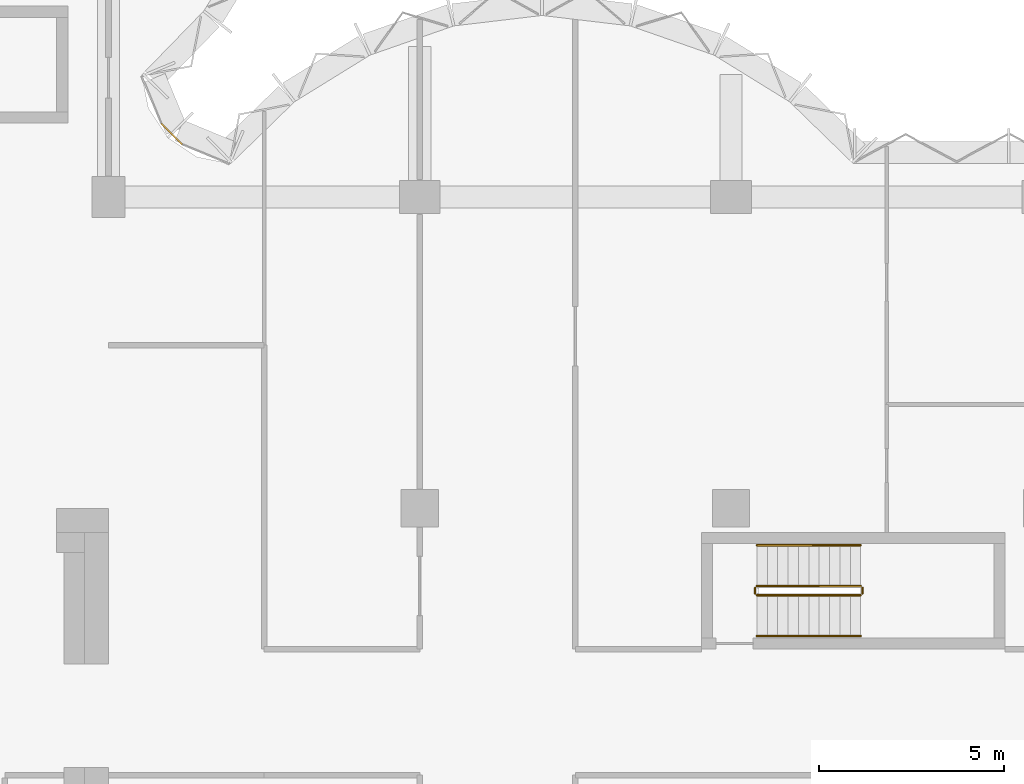
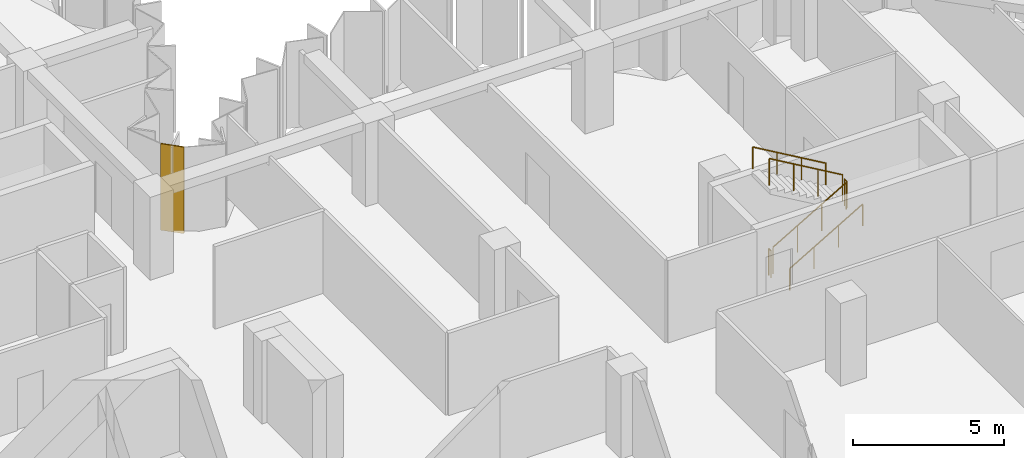
# One storey, part 10 of 10: 6 railings, 1 covering, 1 element without a shape of its own.
"""IFC4 building model written with IfcOpenShell, lengths in metres."""

from ifc_helpers import new_model, si_unit, direction, frame, origin, origin_2d, place, context, subcontext, project, spatial, polyline, circle, outline, extrude, material, layer, layer_set, type_object, element, aggregate, save


model = new_model("IFC4")

# Units and contexts
model_context = context("Model", 3, precision=1e-05, world=origin(), true_north=direction((0.0, 1.0)))
body_context = subcontext(model_context, "Body", "Model", "MODEL_VIEW")
ifc_project = project(units=[si_unit("LENGTHUNIT", "METRE"), si_unit("AREAUNIT", "SQUARE_METRE"), si_unit("VOLUMEUNIT", "CUBIC_METRE"), si_unit("PLANEANGLEUNIT", "RADIAN"), si_unit("MASSUNIT", "GRAM", prefix="KILO")], contexts=[model_context])

# Site, building, storey
site_placement = place(None, origin())
site = spatial("IfcSite", under=ifc_project, at=site_placement, CompositionType="ELEMENT")
building_placement = place(site_placement, origin())
building = spatial("IfcBuilding", under=site, at=building_placement, Name="Brevane Broadcast Tower", CompositionType="ELEMENT")
storey_placement = place(building_placement, frame((0.0, 0.0, 181.199951171875)))
storey = spatial("IfcBuildingStorey", under=building, at=storey_placement, Name="L45", CompositionType="ELEMENT", Elevation=181.199951171875)

# Railings
ifc_material_1 = material(Name="Steel S355", Category="steel")
railing_type_1 = type_object("IfcRailingType", Name="Exit stair guard", PredefinedType="GUARDRAIL", material=ifc_material_1)
railing_1_placement = place(storey_placement, frame((42.699951171875, 14.449951171875, 0.16357421875)))
element("IfcRailing", 1, at=railing_1_placement, inside=storey, type_object=railing_type_1, Name="L45 ST-4 stair guard 1", PredefinedType="GUARDRAIL", context=body_context, shape_type="SweptSolid", body=[
    extrude(circle(Radius=0.02392578125, at=origin_2d()), frame((0.0, 0.0, 1.076171875), z_axis=(0.863360870873, 0.0, 0.504586966384), x_axis=(0.0, 1.0, 0.0)), (0.0, 0.0, 1.0), 3.2431640625),
    extrude(circle(Radius=0.02099609375, at=origin_2d()), origin(), (0.0, 0.0, 1.0), 1.052001953125),
    extrude(circle(Radius=0.02099609375, at=origin_2d()), frame((0.933349609375, 0.0, 0.54541015625)), (0.0, 0.0, 1.0), 1.052001953125),
    extrude(circle(Radius=0.02099609375, at=origin_2d()), frame((1.86669921875, 0.0, 1.091064453125)), (0.0, 0.0, 1.0), 1.052001953125),
    extrude(circle(Radius=0.02099609375, at=origin_2d()), frame((2.800048828125, 0.0, 1.636474609375)), (0.0, 0.0, 1.0), 1.052001953125),
])
railing_2_placement = place(storey_placement, frame((45.550048828125, 14.5, 1.800048828125)))
element("IfcRailing", 2, at=railing_2_placement, inside=storey, type_object=railing_type_1, Name="L45 ST-4 stair guard 2", PredefinedType="GUARDRAIL", context=body_context, shape_type="SweptSolid", body=[
    extrude(circle(Radius=0.02392578125, at=origin_2d()), frame((0.0, 0.0, 1.076171875), z_axis=(0.0, 1.0, 0.0), x_axis=(-1.0, 0.0, 0.0)), (0.0, 0.0, 1.0), 0.14990234375),
    extrude(circle(Radius=0.02099609375, at=origin_2d()), origin(), (0.0, 0.0, 1.0), 1.052001953125),
    extrude(circle(Radius=0.02099609375, at=origin_2d()), frame((0.0, 0.14990234375, 0.0)), (0.0, 0.0, 1.0), 1.052001953125),
])
railing_3_placement = place(storey_placement, frame((45.5, 14.699951171875, 1.963623046875)))
element("IfcRailing", 3, at=railing_3_placement, inside=storey, type_object=railing_type_1, Name="L45 ST-4 stair guard 3", PredefinedType="GUARDRAIL", context=body_context, shape_type="SweptSolid", body=[
    extrude(circle(Radius=0.02392578125, at=origin_2d()), frame((0.0, 0.0, 1.076171875), z_axis=(-0.863360870873, 0.0, 0.504586966384), x_axis=(0.0, -1.0, 0.0)), (0.0, 0.0, 1.0), 3.2431640625),
    extrude(circle(Radius=0.02099609375, at=origin_2d()), origin(), (0.0, 0.0, 1.0), 1.052001953125),
    extrude(circle(Radius=0.02099609375, at=origin_2d()), frame((-0.933349609375, 0.0, 0.54541015625)), (0.0, 0.0, 1.0), 1.052001953125),
    extrude(circle(Radius=0.02099609375, at=origin_2d()), frame((-1.86669921875, 0.0, 1.091064453125)), (0.0, 0.0, 1.0), 1.052001953125),
    extrude(circle(Radius=0.02099609375, at=origin_2d()), frame((-2.800048828125, 0.0, 1.636474609375)), (0.0, 0.0, 1.0), 1.052001953125),
])
railing_4_placement = place(storey_placement, frame((42.64990234375, 14.5, 0.0)))
element("IfcRailing", 4, at=railing_4_placement, inside=storey, type_object=railing_type_1, Name="L45 ST-4 stair guard 4", PredefinedType="GUARDRAIL", context=body_context, shape_type="SweptSolid", body=[
    extrude(circle(Radius=0.02392578125, at=origin_2d()), frame((0.0, 0.0, 1.076171875), z_axis=(0.0, 1.0, 0.0), x_axis=(-1.0, 0.0, 0.0)), (0.0, 0.0, 1.0), 0.14990234375),
    extrude(circle(Radius=0.02099609375, at=origin_2d()), origin(), (0.0, 0.0, 1.0), 1.052001953125),
    extrude(circle(Radius=0.02099609375, at=origin_2d()), frame((0.0, 0.14990234375, 0.0)), (0.0, 0.0, 1.0), 1.052001953125),
])
railing_type_2 = type_object("IfcRailingType", Name="Exit stair handrail", PredefinedType="HANDRAIL", material=ifc_material_1)
railing_5_placement = place(storey_placement, frame((42.699951171875, 13.35009765625, 0.16357421875)))
element("IfcRailing", 5, at=railing_5_placement, inside=storey, type_object=railing_type_2, Name="L45 ST-4 stair handrail 1", PredefinedType="HANDRAIL", context=body_context, shape_type="SweptSolid", body=[
    extrude(circle(Radius=0.02392578125, at=origin_2d()), frame((0.0, 0.0, 0.8759765625), z_axis=(0.863360870873, 0.0, 0.504586966384), x_axis=(0.0, 1.0, 0.0)), (0.0, 0.0, 1.0), 3.2431640625),
    extrude(circle(Radius=0.02099609375, at=origin_2d()), origin(), (0.0, 0.0, 1.0), 0.851806640625),
    extrude(circle(Radius=0.02099609375, at=origin_2d()), frame((0.933349609375, 0.0, 0.54541015625)), (0.0, 0.0, 1.0), 0.851806640625),
    extrude(circle(Radius=0.02099609375, at=origin_2d()), frame((1.86669921875, 0.0, 1.091064453125)), (0.0, 0.0, 1.0), 0.851806640625),
    extrude(circle(Radius=0.02099609375, at=origin_2d()), frame((2.800048828125, 0.0, 1.636474609375)), (0.0, 0.0, 1.0), 0.851806640625),
])
railing_6_placement = place(storey_placement, frame((45.5, 15.800048828125, 1.963623046875)))
element("IfcRailing", 6, at=railing_6_placement, inside=storey, type_object=railing_type_2, Name="L45 ST-4 stair handrail 2", PredefinedType="HANDRAIL", context=body_context, shape_type="SweptSolid", body=[
    extrude(circle(Radius=0.02392578125, at=origin_2d()), frame((0.0, 0.0, 0.8759765625), z_axis=(-0.863360870873, 0.0, 0.504586966384), x_axis=(0.0, -1.0, 0.0)), (0.0, 0.0, 1.0), 3.2431640625),
    extrude(circle(Radius=0.02099609375, at=origin_2d()), origin(), (0.0, 0.0, 1.0), 0.851806640625),
    extrude(circle(Radius=0.02099609375, at=origin_2d()), frame((-0.933349609375, 0.0, 0.54541015625)), (0.0, 0.0, 1.0), 0.851806640625),
    extrude(circle(Radius=0.02099609375, at=origin_2d()), frame((-1.86669921875, 0.0, 1.091064453125)), (0.0, 0.0, 1.0), 0.851806640625),
    extrude(circle(Radius=0.02099609375, at=origin_2d()), frame((-2.800048828125, 0.0, 1.636474609375)), (0.0, 0.0, 1.0), 0.851806640625),
])

# Curtain wall, covering
ifc_material_2 = material(Name="Aluminium 6063-T6 bronze anodised", Category="aluminium")
curtain_wall_type = type_object("IfcCurtainWallType", Name="CW-1 curtain wall", PredefinedType="NOTDEFINED", material=ifc_material_2)
curtain_wall_placement = place(storey_placement, origin())
curtain_wall = element("IfcCurtainWall", 7, at=curtain_wall_placement, inside=storey, type_object=curtain_wall_type, Name="CW-1 typical tilted unit L45 inner corner", PredefinedType="NOTDEFINED")
ifc_material_3 = material(Name="Back-painted bronze glass shadow-box", Category="glass")
ifc_layer = layer(ifc_material_3, 0.0400390625)
ifc_layer_set = layer_set([ifc_layer], Name="Shadow-box panel 40")
covering_type = type_object("IfcCoveringType", Name="Shadow-box panel 40", PredefinedType="CLADDING", material=ifc_layer_set)
covering_placement = place(storey_placement, frame((0.0, 0.0, -0.14990234375)))
covering = element("IfcCovering", 8, at=covering_placement, type_object=covering_type, Name="Closure panel", PredefinedType="CLADDING", context=body_context, shape_type="SweptSolid", body=[
    extrude(outline(polyline([(27.17138671875, 26.60498046875), (27.2021484375, 26.635498046875), (26.635498046875, 27.2021484375), (26.60498046875, 27.17138671875), (27.17138671875, 26.60498046875)])), origin(), (0.0, 0.0, 1.0), 3.5),
])
aggregate(curtain_wall, [covering])

save(model, "model.ifc")
